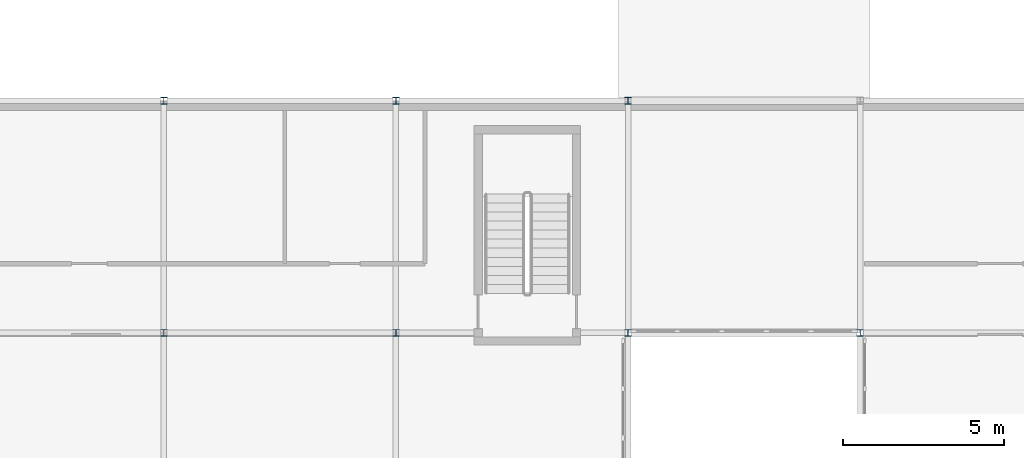
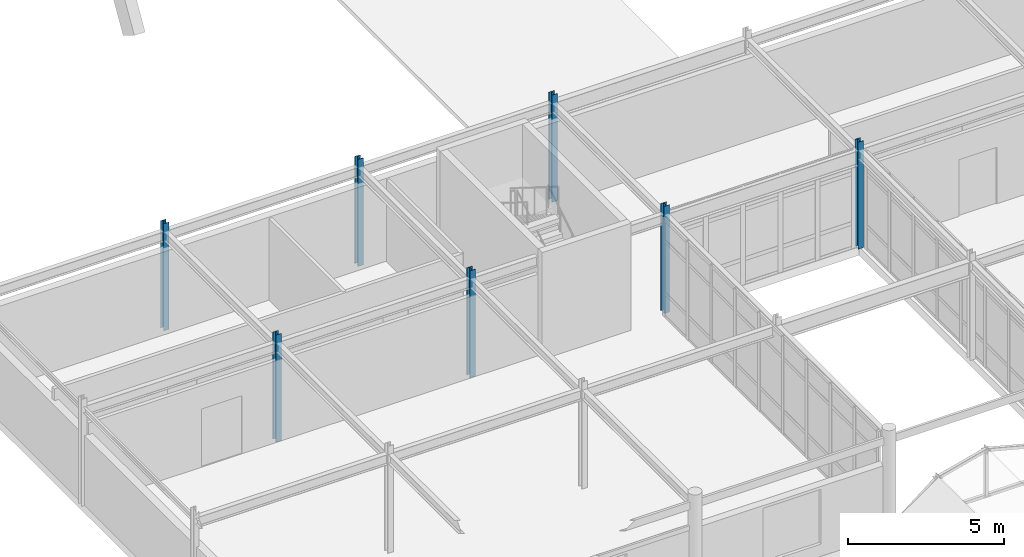
# One storey, part 7 of 85: 7 columns.
"""IFC4 building model written with IfcOpenShell, lengths in metres."""

from ifc_helpers import new_model, si_unit, direction, frame, origin, origin_2d, place, context, subcontext, project, spatial, i_section, extrude, material, material_profile, profile_set, type_object, element, save


model = new_model("IFC4")

# Units and contexts
model_context = context("Model", 3, precision=1e-05, world=origin(), true_north=direction((0.0, 1.0)))
body_context = subcontext(model_context, "Body", "Model", "MODEL_VIEW")
ifc_project = project(units=[si_unit("LENGTHUNIT", "METRE"), si_unit("AREAUNIT", "SQUARE_METRE"), si_unit("VOLUMEUNIT", "CUBIC_METRE"), si_unit("PLANEANGLEUNIT", "RADIAN"), si_unit("MASSUNIT", "GRAM", prefix="KILO")], contexts=[model_context])

# Site, building, storey
site_placement = place(None, origin())
site = spatial("IfcSite", under=ifc_project, at=site_placement, CompositionType="ELEMENT")
building_placement = place(site_placement, origin())
building = spatial("IfcBuilding", under=site, at=building_placement, Name="Ochrevale Crest", CompositionType="ELEMENT")
storey_placement = place(building_placement, frame((0.0, 0.0, 4.5)))
storey = spatial("IfcBuildingStorey", under=building, at=storey_placement, Name="L01", CompositionType="ELEMENT", Elevation=4.5)

# Columns
ifc_material = material(Name="Steel S355", Category="steel")
ifc_material_profile = material_profile(ifc_material, i_section(OverallWidth=0.203125, OverallDepth=0.203369140625, WebThickness=0.00732421875, FlangeThickness=0.010986328125, FilletRadius=0.01025390625, at=origin_2d()), Name="200UC46.2")
ifc_profile_set = profile_set([ifc_material_profile], Name="Steel S355")
column_type = type_object("IfcColumnType", Name="COL-UC200A", PredefinedType="COLUMN", material=ifc_profile_set)
for number, where, z_axis, x_axis, name in (
    (1, (64.800048828125, 21.60009765625, 0.0), (0.0, 0.0, 1.0), (1.0, 0.0, 0.0), "Retail arcade L01 column (64.8,21.6)"),
    (2, (64.800048828125, 28.800048828125, 0.0), (0.0, 0.0, 1.0), (1.0, 0.0, 0.0), "Retail arcade L01 column (64.8,28.8)"),
    (3, (72.0, 21.60009765625, 0.0), (0.0, 0.0, 1.0), (1.0, 0.0, 0.0), "Retail arcade L01 column (72.0,21.6)"),
    (4, (72.0, 28.800048828125, 0.0), (0.0, 0.0, 1.0), (1.0, 0.0, 0.0), "Retail arcade L01 column (72.0,28.8)"),
    (5, (79.199951171875, 21.60009765625, 0.0), (0.0, 0.0, 1.0), (1.0, 0.0, 0.0), "Retail arcade L01 column (79.2,21.6)"),
    (6, (79.199951171875, 28.800048828125, 0.0), (0.0, 0.0, 1.0), (1.0, 0.0, 0.0), "Retail arcade L01 column (79.2,28.8)"),
    (7, (86.39990234375, 21.60009765625, 0.0), (0.0, 0.0, 1.0), (1.0, 0.0, 0.0), "Retail arcade L01 column (86.4,21.6)"),
):
    element("IfcColumn", number, at=place(storey_placement, frame(where, z_axis=z_axis, x_axis=x_axis)), inside=storey, type_object=column_type, Name=name, PredefinedType="COLUMN", context=body_context, shape_type="SweptSolid", body=[
        extrude(i_section(OverallWidth=0.203125, OverallDepth=0.203369140625, WebThickness=0.00732421875, FlangeThickness=0.010986328125, FilletRadius=0.01025390625, at=origin_2d()), origin(), (0.0, 0.0, 1.0), 4.199951171875),
    ])

save(model, "model.ifc")
